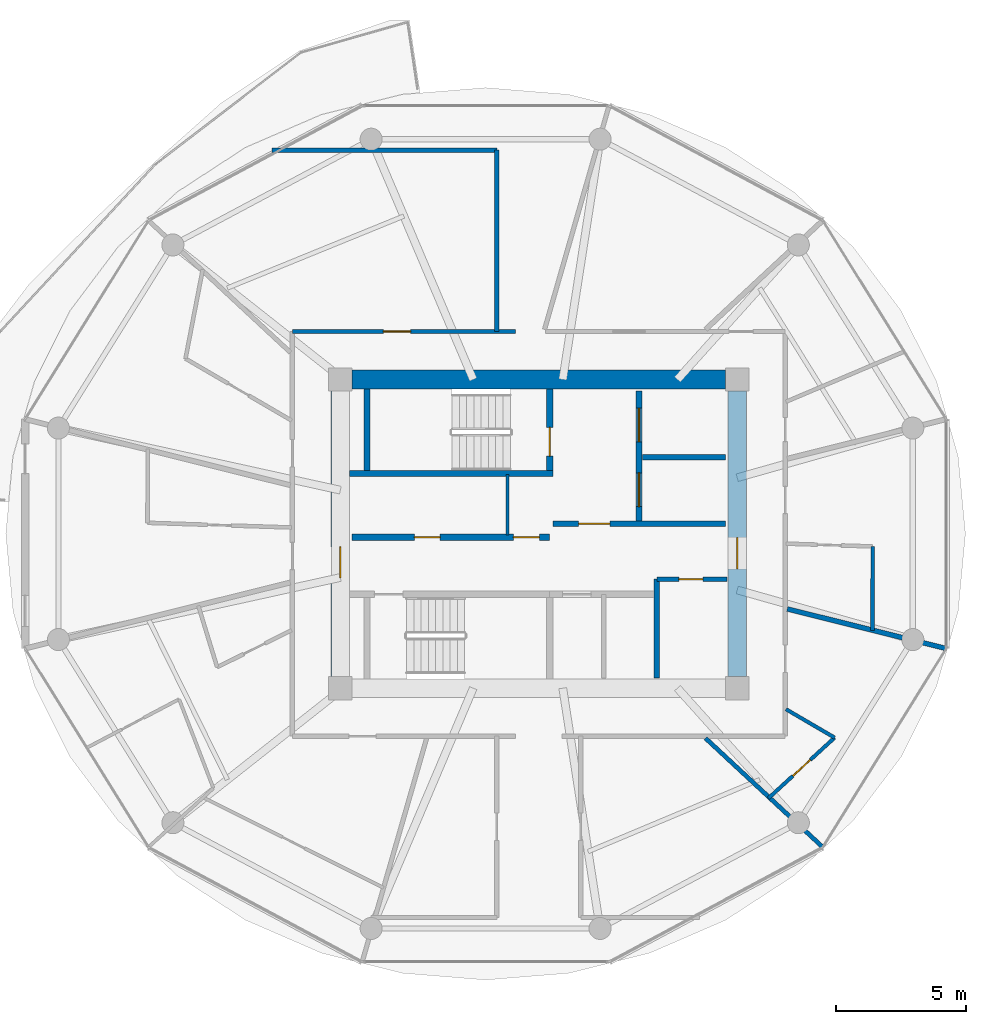
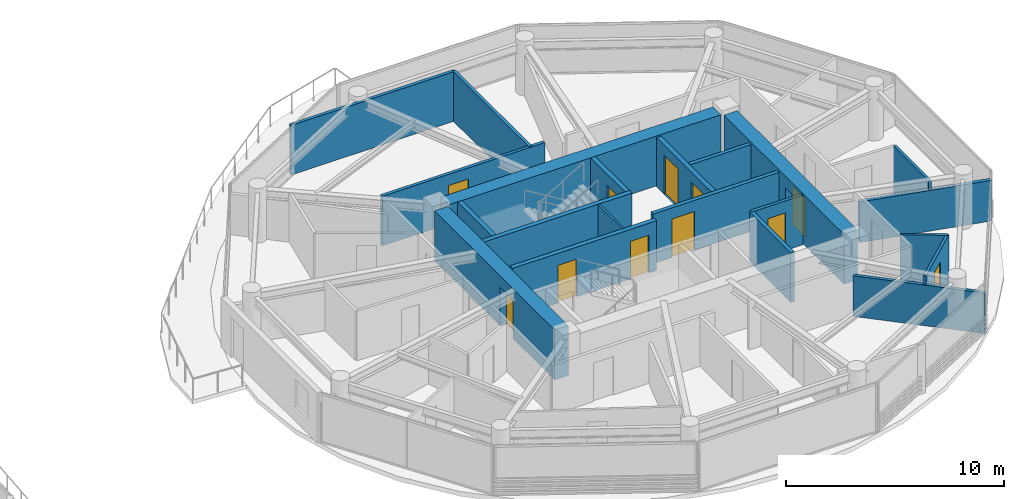
# One storey, part 17 of 22: 21 walls, 11 doors, 11 openings.
"""IFC4 building model written with IfcOpenShell, lengths in metres."""

import ifcopenshell
import ifcopenshell.guid

model = None  # the IFC model being written
_history = None  # IfcOwnerHistory: only IFC2X3 demands one
_inside = {}  # id of a spatial element -> (the spatial element, [elements in it])
_under = {}  # id of a project, library or spatial element -> (it, [spatial elements below it])
_declared = {}  # id of a project -> (the project, [libraries it declares])
_typed = {}  # id of a type object -> (the type object, [elements of that type])
_made_of = {}  # id of a material, layer set ... -> (it, [elements and type objects made of it])


def new_model(schema):
    """Start an empty IFC model of exactly this schema.

    Asked for "IFC4X3", IfcOpenShell would pick the latest addendum, in which some entities
    have other attributes; the version numbers below select the first issue.
    IFC2X3 requires an IfcOwnerHistory on every rooted entity: one is made here for all.
    """
    global model, _history
    if schema == "IFC4X3":
        model = ifcopenshell.file(schema_version=(4, 3, 0, 0))
    else:
        model = ifcopenshell.file(schema=schema)
    _inside.clear()
    _under.clear()
    _declared.clear()
    _typed.clear()
    _made_of.clear()
    _history = None
    if model.schema == "IFC2X3":
        org = make("IfcOrganization", Name="unknown")
        user = make(
            "IfcPersonAndOrganization",
            ThePerson=make("IfcPerson", FamilyName="unknown"),
            TheOrganization=org,
        )
        app = make(
            "IfcApplication",
            ApplicationDeveloper=org,
            Version="unknown",
            ApplicationFullName="unknown",
            ApplicationIdentifier="unknown",
        )
        _history = make(
            "IfcOwnerHistory",
            OwningUser=user,
            OwningApplication=app,
            ChangeAction="ADDED",
            CreationDate=0,
        )
    return model


def make(cls, **values):
    """One entity of the class cls with the attributes given. An attribute that is None is left unset."""
    return model.create_entity(
        cls, **{name: value for name, value in values.items() if value is not None}
    )


def rooted(cls, **values):
    """An entity with a GlobalId (a new one), such as an element, a storey or a relation."""
    return make(cls, GlobalId=ifcopenshell.guid.new(), OwnerHistory=_history, **values)


def si_unit(unit_type, name, prefix=None):
    """IfcSIUnit, for example si_unit("LENGTHUNIT", "METRE", prefix="MILLI")."""
    return make("IfcSIUnit", UnitType=unit_type, Prefix=prefix, Name=name)


def assignment(units):
    """IfcUnitAssignment: the units of a project."""
    return None if units is None else make("IfcUnitAssignment", Units=units)


def point(xyz):
    """IfcCartesianPoint."""
    return None if xyz is None else make("IfcCartesianPoint", Coordinates=xyz)


def direction(xyz):
    """IfcDirection."""
    return None if xyz is None else make("IfcDirection", DirectionRatios=xyz)


def frame(location, z_axis=None, x_axis=None):
    """IfcAxis2Placement3D, a coordinate frame: its origin and axes. An axis left out is left unset."""
    return make(
        "IfcAxis2Placement3D",
        Location=point(location),
        Axis=direction(z_axis),
        RefDirection=direction(x_axis),
    )


def frame_2d(location, x_axis=None):
    """IfcAxis2Placement2D, a coordinate frame in the plane: its origin and x axis."""
    return make(
        "IfcAxis2Placement2D", Location=point(location), RefDirection=direction(x_axis)
    )


def origin():
    """The frame at (0, 0, 0) with its axes left unset."""
    return frame((0.0, 0.0, 0.0))


def place(relative_to, where):
    """IfcLocalPlacement: puts the frame where relative to a parent placement (None: the world)."""
    return make(
        "IfcLocalPlacement", PlacementRelTo=relative_to, RelativePlacement=where
    )


def context(
    kind, dimensions, precision=None, world=None, true_north=None, identifier=None
):
    """IfcGeometricRepresentationContext, for example the 3D "Model" context."""
    return make(
        "IfcGeometricRepresentationContext",
        ContextIdentifier=identifier,
        ContextType=kind,
        CoordinateSpaceDimension=dimensions,
        Precision=precision,
        WorldCoordinateSystem=world,
        TrueNorth=true_north,
    )


def subcontext(parent, identifier, kind, view, scale=None):
    """IfcGeometricRepresentationSubContext, for example "Body" below "Model"."""
    return make(
        "IfcGeometricRepresentationSubContext",
        ContextIdentifier=identifier,
        ContextType=kind,
        ParentContext=parent,
        TargetScale=scale,
        TargetView=view,
    )


def project(units=None, contexts=None):
    """IfcProject with its units and contexts."""
    return rooted(
        "IfcProject",
        Name="project",
        RepresentationContexts=contexts,
        UnitsInContext=assignment(units),
    )


def spatial(cls, under=None, at=None, **own):
    """A site, building, storey or space (cls), placed at a placement, below another one or the project."""
    s = rooted(cls, ObjectPlacement=at, **own)
    if under is not None:
        _under.setdefault(under.id(), (under, []))[1].append(s)
    return s


def profile(cls, at=None, kind="AREA", **sizes):
    """A parametric profile (cls). Its sizes go by their IFC names, for example OverallWidth=200.0."""
    return make(cls, ProfileType=kind, Position=at, **sizes)


def rectangle(**sizes):
    """IfcRectangleProfileDef."""
    return profile("IfcRectangleProfileDef", **sizes)


def extrude(swept, where, along, depth):
    """IfcExtrudedAreaSolid: the profile swept, set in the frame where, extruded along a direction by depth."""
    return make(
        "IfcExtrudedAreaSolid",
        SweptArea=swept,
        Position=where,
        ExtrudedDirection=direction(along),
        Depth=depth,
    )


def shape(context_of_items, identifier, shape_type, items):
    """IfcShapeRepresentation: the items that make up one representation, for example the "Body"."""
    return make(
        "IfcShapeRepresentation",
        ContextOfItems=context_of_items,
        RepresentationIdentifier=identifier,
        RepresentationType=shape_type,
        Items=items,
    )


def source(mapping_origin, context_of_items, identifier, shape_type, items):
    """IfcRepresentationMap: a shape defined once, which mapped items show again and again."""
    return make(
        "IfcRepresentationMap",
        MappingOrigin=mapping_origin,
        MappedRepresentation=shape(context_of_items, identifier, shape_type, items),
    )


def transform(
    local_origin,
    x_axis=None,
    y_axis=None,
    z_axis=None,
    scale=None,
    scale2=None,
    scale3=None,
    uniform=True,
):
    """IfcCartesianTransformationOperator3D, or its non-uniform kind. x_axis, y_axis, z_axis: its Axis1, 2, 3."""
    if uniform:
        return make(
            "IfcCartesianTransformationOperator3D",
            Axis1=direction(x_axis),
            Axis2=direction(y_axis),
            LocalOrigin=point(local_origin),
            Scale=scale,
            Axis3=direction(z_axis),
        )
    return make(
        "IfcCartesianTransformationOperator3DnonUniform",
        Axis1=direction(x_axis),
        Axis2=direction(y_axis),
        LocalOrigin=point(local_origin),
        Scale=scale,
        Axis3=direction(z_axis),
        Scale2=scale2,
        Scale3=scale3,
    )


def mapped(mapping_source, mapping_target):
    """IfcMappedItem: shows the shape of a source again, moved by a transform."""
    return make(
        "IfcMappedItem", MappingSource=mapping_source, MappingTarget=mapping_target
    )


def material(Name=None, Category=None):
    """IfcMaterial."""
    return make("IfcMaterial", Name=Name, Category=Category)


def layer(
    of_material, thickness, ventilated=None, Name=None, Category=None, Priority=None
):
    """IfcMaterialLayer: one layer of a wall or slab, of a material (None: an air gap)."""
    return make(
        "IfcMaterialLayer",
        Material=of_material,
        LayerThickness=thickness,
        IsVentilated=ventilated,
        Name=Name,
        Category=Category,
        Priority=Priority,
    )


def layer_set(layers, Name=None):
    """IfcMaterialLayerSet."""
    return make("IfcMaterialLayerSet", MaterialLayers=layers, LayerSetName=Name)


def made_of(thing, what):
    """Note that an element or type object is made of a material, layer set ...; save() writes the relation."""
    if what is not None:
        _made_of.setdefault(what.id(), (what, []))[1].append(thing)
    return thing


def type_object(cls, material=None, **own):
    """A type object (cls), such as IfcWallType, which elements share."""
    return made_of(rooted(cls, **own), material)


def type_shapes(of_type, sources):
    """Give a type object the sources (RepresentationMaps) that its elements show as mapped items."""
    of_type.RepresentationMaps = sources


def element(
    cls,
    number,
    at=None,
    inside=None,
    cuts=None,
    type_object=None,
    material=None,
    context=None,
    identifier="Body",
    shape_type=None,
    held_by="IfcProductDefinitionShape",
    body=None,
    shapes=None,
    **own,
):
    """One element of the class cls, such as IfcWall. Its Tag is "e" and its number.

    at: its placement. inside: the storey or other place that contains it. cuts: it is an
    opening in that element (IfcRelVoidsElement). A single representation is given by context,
    identifier, shape_type and body (its items); several are given by shapes. held_by: the class
    of the entity that holds the representations. save() writes the other relations.
    """
    e = rooted(cls, Tag="e%d" % number, ObjectPlacement=at, **own)
    if body is not None:
        shapes = [shape(context, identifier, shape_type, body)]
    if shapes is not None:
        e.Representation = make(held_by, Representations=shapes)
    if inside is not None:
        _inside.setdefault(inside.id(), (inside, []))[1].append(e)
    if cuts is not None:
        rooted(
            "IfcRelVoidsElement", RelatingBuildingElement=cuts, RelatedOpeningElement=e
        )
    if type_object is not None:
        _typed.setdefault(type_object.id(), (type_object, []))[1].append(e)
    return made_of(e, material)


def fill(opening, filler):
    """IfcRelFillsElement: the door or window that sits in an opening."""
    return rooted(
        "IfcRelFillsElement",
        RelatingOpeningElement=opening,
        RelatedBuildingElement=filler,
    )


def aggregate(whole, parts):
    """IfcRelAggregates: a whole, such as a stair, and the parts it consists of."""
    return rooted("IfcRelAggregates", RelatingObject=whole, RelatedObjects=parts)


def save(model, path):
    """Write the relations noted so far, then the file.

    IfcRelAggregates (storeys below a building ...), IfcRelContainedInSpatialStructure (elements
    in a storey), IfcRelDefinesByType, IfcRelAssociatesMaterial and IfcRelDeclares: one each for
    every whole, place, type object, material and project.
    """
    for whole, parts in _under.values():
        aggregate(whole, parts)
    for where, things in _inside.values():
        rooted(
            "IfcRelContainedInSpatialStructure",
            RelatedElements=things,
            RelatingStructure=where,
        )
    for kind, things in _typed.values():
        rooted("IfcRelDefinesByType", RelatedObjects=things, RelatingType=kind)
    for what, things in _made_of.values():
        rooted("IfcRelAssociatesMaterial", RelatedObjects=things, RelatingMaterial=what)
    for by, libraries in _declared.values():
        rooted("IfcRelDeclares", RelatingContext=by, RelatedDefinitions=libraries)
    model.write(path)


model = new_model("IFC4")

# Units and contexts
model_context = context("Model", 3, precision=1e-05, world=origin(), true_north=direction((0.0, 1.0)))
body_context = subcontext(model_context, "Body", "Model", "MODEL_VIEW")
ifc_project = project(units=[si_unit("LENGTHUNIT", "METRE"), si_unit("AREAUNIT", "SQUARE_METRE"), si_unit("VOLUMEUNIT", "CUBIC_METRE"), si_unit("PLANEANGLEUNIT", "RADIAN"), si_unit("MASSUNIT", "GRAM", prefix="KILO")], contexts=[model_context])

# Site, building, storey
site_placement = place(None, origin())
site = spatial("IfcSite", under=ifc_project, at=site_placement, CompositionType="ELEMENT")
building_placement = place(site_placement, origin())
building = spatial("IfcBuilding", under=site, at=building_placement, Name="Norrkilde Senior Care Towers", CompositionType="ELEMENT")
storey_placement = place(building_placement, frame((0.0, 0.0, 120.64990234375)))
storey = spatial("IfcBuildingStorey", under=building, at=storey_placement, Name="L37", CompositionType="ELEMENT", Elevation=120.64990234375)

# Wall
ifc_material_1 = material(Name="Concrete C60/75", Category="concrete")
ifc_layer_1 = layer(ifc_material_1, 0.719970703125)
ifc_layer_set_1 = layer_set([ifc_layer_1], Name="Concrete C60/75")
wall_type_1 = type_object("IfcWallType", Name="Core Shear Wall Z2 720", PredefinedType="SHEAR", material=ifc_layer_set_1)
shared_shape_1 = source(origin(), body_context, "Body", "SweptSolid", [
    extrude(rectangle(XDim=14.39990234375, YDim=0.719970703125, at=frame_2d((7.199951171875, 0.0))), origin(), (0.0, 0.0, 1.0), 2.7900390625),
])
wall_1_placement = place(storey_placement, frame((20.800048828125, 5.949951171875, 0.0), z_axis=(0.0, 0.0, 1.0), x_axis=(1.0, 0.0, 0.0)))
element("IfcWall", 1, at=wall_1_placement, inside=storey, type_object=wall_type_1, Name="L37 Core E North Shear Wall", PredefinedType="SHEAR", context=body_context, shape_type="MappedRepresentation", body=[
    mapped(shared_shape_1, transform((0.0, 0.0, 0.0), x_axis=(1.0, 0.0, 0.0), y_axis=(0.0, 1.0, 0.0), z_axis=(0.0, 0.0, 1.0), scale=1.0)),
])

# Wall, opening, door
shared_shape_2 = source(origin(), body_context, "Body", "SweptSolid", [
    extrude(rectangle(XDim=11.0, YDim=0.719970703125, at=frame_2d((5.5, 0.0))), origin(), (0.0, 0.0, 1.0), 2.7900390625),
])
type_shapes(wall_type_1, [shared_shape_1, shared_shape_2])
wall_2_placement = place(storey_placement, frame((20.35009765625, -5.5, 0.0), z_axis=(0.0, 0.0, 1.0), x_axis=(0.0, 1.0, 0.0)))
wall_2 = element("IfcWall", 2, at=wall_2_placement, inside=storey, type_object=wall_type_1, Name="L37 Core E West Shear Wall", PredefinedType="SHEAR", context=body_context, shape_type="MappedRepresentation", body=[
    mapped(shared_shape_2, transform((0.0, 0.0, 0.0), x_axis=(1.0, 0.0, 0.0), y_axis=(0.0, 1.0, 0.0), z_axis=(0.0, 0.0, 1.0), scale=1.0)),
])
opening_1_placement = place(wall_2_placement, frame((3.800048828125, 0.0, 0.0)))
opening_1 = element("IfcOpeningElement", 3, at=opening_1_placement, cuts=wall_2, Name="Opening D-04", PredefinedType="OPENING", context=body_context, shape_type="SweptSolid", body=[
    extrude(rectangle(XDim=1.199951171875, YDim=2.14990234375, at=frame_2d((0.60009765625, 1.074951171875))), frame((0.0, 0.369873046875, 0.0), z_axis=(0.0, -1.0, 0.0), x_axis=(1.0, 0.0, 0.0)), (0.0, 0.0, 1.0), 0.739990234375),
])
ifc_material_2 = material(Name="Galvanised Painted Steel", Category="steel")
door_type_1 = type_object("IfcDoorType", Name="Firefighting Lobby Fire Door 1200x2150", OperationType="NOTDEFINED", PredefinedType="DOOR", material=ifc_material_2)
shared_shape_3 = source(origin(), body_context, "Body", "SweptSolid", [
    extrude(rectangle(XDim=1.199951171875, YDim=2.14990234375, at=frame_2d((0.60009765625, 1.074951171875))), frame((0.0, 0.02490234375, 0.0), z_axis=(0.0, -1.0, 0.0), x_axis=(1.0, 0.0, 0.0)), (0.0, 0.0, 1.0), 0.050048828125),
])
type_shapes(door_type_1, [shared_shape_3])
door_1_placement = place(opening_1_placement, frame((1.199951171875, 0.0, 0.0), z_axis=(0.0, 0.0, 1.0), x_axis=(-1.0, 0.0, 0.0)))
door_1 = element("IfcDoor", 4, at=door_1_placement, inside=storey, type_object=door_type_1, Name="L37 Core E West Portal Door", OperationType="SINGLE_SWING_LEFT", OverallHeight=2.14990234375, OverallWidth=1.199951171875, PredefinedType="DOOR", context=body_context, shape_type="MappedRepresentation", body=[
    mapped(shared_shape_3, transform((0.0, 0.0, 0.0), x_axis=(1.0, 0.0, 0.0), y_axis=(0.0, 1.0, 0.0), z_axis=(0.0, 0.0, 1.0), scale=1.0)),
])
fill(opening_1, door_1)

wall_3_placement = place(storey_placement, frame((35.64990234375, 5.5, 0.0), z_axis=(0.0, 0.0, 1.0), x_axis=(0.0, -1.0, 0.0)))
wall_3 = element("IfcWall", 5, at=wall_3_placement, inside=storey, type_object=wall_type_1, Name="L37 Core E East Shear Wall", PredefinedType="SHEAR", context=body_context, shape_type="MappedRepresentation", body=[
    mapped(shared_shape_2, transform((0.0, 0.0, 0.0), x_axis=(1.0, 0.0, 0.0), y_axis=(0.0, 1.0, 0.0), z_axis=(0.0, 0.0, 1.0), scale=1.0)),
])
opening_2_placement = place(wall_3_placement, frame((5.64990234375, 0.0, 0.0)))
opening_2 = element("IfcOpeningElement", 6, at=opening_2_placement, cuts=wall_3, Name="Opening D-04", PredefinedType="OPENING", context=body_context, shape_type="SweptSolid", body=[
    extrude(rectangle(XDim=1.199951171875, YDim=2.14990234375, at=frame_2d((0.60009765625, 1.074951171875))), frame((0.0, 0.369873046875, 0.0), z_axis=(0.0, -1.0, 0.0), x_axis=(1.0, 0.0, 0.0)), (0.0, 0.0, 1.0), 0.739990234375),
])
door_2_placement = place(opening_2_placement, frame((1.199951171875, 0.0, 0.0), z_axis=(0.0, 0.0, 1.0), x_axis=(-1.0, 0.0, 0.0)))
door_2 = element("IfcDoor", 7, at=door_2_placement, inside=storey, type_object=door_type_1, Name="L37 Core E East Portal Door", OperationType="SINGLE_SWING_RIGHT", OverallHeight=2.14990234375, OverallWidth=1.199951171875, PredefinedType="DOOR", context=body_context, shape_type="MappedRepresentation", body=[
    mapped(shared_shape_3, transform((0.0, 0.0, 0.0), x_axis=(1.0, 0.0, 0.0), y_axis=(0.0, 1.0, 0.0), z_axis=(0.0, 0.0, 1.0), scale=1.0)),
])
fill(opening_2, door_2)

# Wall, openings, doors
ifc_material_3 = material(Name="Concrete C45/55", Category="concrete")
ifc_layer_2 = layer(ifc_material_3, 0.239990234375)
ifc_layer_set_2 = layer_set([ifc_layer_2], Name="Concrete C45/55")
wall_type_2 = type_object("IfcWallType", Name="Lift and Plant Rated Enclosure Partition 240", PredefinedType="PARTITIONING", material=ifc_layer_set_2)
shared_shape_4 = source(origin(), body_context, "Body", "SweptSolid", [
    extrude(rectangle(XDim=5.0, YDim=0.239990234375, at=frame_2d((2.5, 0.0))), origin(), (0.0, 0.0, 1.0), 2.775146484375),
])
wall_4_placement = place(storey_placement, frame((31.860107421875, 0.5, 0.0), z_axis=(0.0, 0.0, 1.0), x_axis=(0.0, 1.0, 0.0)))
wall_4 = element("IfcWall", 8, at=wall_4_placement, inside=storey, type_object=wall_type_2, Name="WL-INT-L37-E-FFLE", PredefinedType="PARTITIONING", context=body_context, shape_type="MappedRepresentation", body=[
    mapped(shared_shape_4, transform((0.0, 0.0, 0.0), x_axis=(1.0, 0.0, 0.0), y_axis=(0.0, 1.0, 0.0), z_axis=(0.0, 0.0, 1.0), scale=1.0)),
])
opening_3_placement = place(wall_4_placement, frame((3.050048828125, 0.0, 0.0)))
opening_3 = element("IfcOpeningElement", 9, at=opening_3_placement, cuts=wall_4, Name="Opening LD-02", PredefinedType="OPENING", context=body_context, shape_type="SweptSolid", body=[
    extrude(rectangle(XDim=1.300048828125, YDim=2.199951171875, at=frame_2d((0.64990234375, 1.10009765625))), frame((0.0, 0.1298828125, 0.0), z_axis=(0.0, -1.0, 0.0), x_axis=(1.0, 0.0, 0.0)), (0.0, 0.0, 1.0), 0.260009765625),
])
opening_4_placement = place(wall_4_placement, frame((0.550048828125, 0.0, 0.0)))
opening_4 = element("IfcOpeningElement", 10, at=opening_4_placement, cuts=wall_4, Name="Opening LD-02", PredefinedType="OPENING", context=body_context, shape_type="SweptSolid", body=[
    extrude(rectangle(XDim=1.300048828125, YDim=2.199951171875, at=frame_2d((0.64990234375, 1.10009765625))), frame((0.0, 0.1298828125, 0.0), z_axis=(0.0, -1.0, 0.0), x_axis=(1.0, 0.0, 0.0)), (0.0, 0.0, 1.0), 0.260009765625),
])
ifc_material_4 = material(Name="Stainless Steel", Category="steel")
door_type_2 = type_object("IfcDoorType", Name="Stretcher and FFL Landing Sliding Door 1300x2200", OperationType="NOTDEFINED", PredefinedType="DOOR", material=ifc_material_4)
shared_shape_5 = source(origin(), body_context, "Body", "SweptSolid", [
    extrude(rectangle(XDim=1.300048828125, YDim=2.199951171875, at=frame_2d((0.64990234375, 1.10009765625))), frame((0.0, 0.02490234375, 0.0), z_axis=(0.0, -1.0, 0.0), x_axis=(1.0, 0.0, 0.0)), (0.0, 0.0, 1.0), 0.050048828125),
])
type_shapes(door_type_2, [shared_shape_5])
door_3_placement = place(opening_3_placement, origin())
door_3 = element("IfcDoor", 11, at=door_3_placement, inside=storey, type_object=door_type_2, Name="L37 Firefighting Lift E1 Landing Door", OperationType="SLIDING_TO_LEFT", OverallHeight=2.199951171875, OverallWidth=1.300048828125, PredefinedType="DOOR", context=body_context, shape_type="MappedRepresentation", body=[
    mapped(shared_shape_5, transform((0.0, 0.0, 0.0), x_axis=(1.0, 0.0, 0.0), y_axis=(0.0, 1.0, 0.0), z_axis=(0.0, 0.0, 1.0), scale=1.0)),
])
fill(opening_3, door_3)
door_4_placement = place(opening_4_placement, origin())
door_4 = element("IfcDoor", 12, at=door_4_placement, inside=storey, type_object=door_type_2, Name="L37 Stretcher Lift E1 Landing Door", OperationType="SLIDING_TO_RIGHT", OverallHeight=2.199951171875, OverallWidth=1.300048828125, PredefinedType="DOOR", context=body_context, shape_type="MappedRepresentation", body=[
    mapped(shared_shape_5, transform((0.0, 0.0, 0.0), x_axis=(1.0, 0.0, 0.0), y_axis=(0.0, 1.0, 0.0), z_axis=(0.0, 0.0, 1.0), scale=1.0)),
])
fill(opening_4, door_4)

# Wall
ifc_layer_3 = layer(ifc_material_3, 0.199951171875)
ifc_layer_set_3 = layer_set([ifc_layer_3], Name="Concrete C45/55")
wall_type_3 = type_object("IfcWallType", Name="Shaft Division and Plant Partition 200", PredefinedType="PARTITIONING", material=ifc_layer_set_3)
shared_shape_6 = source(origin(), body_context, "Body", "SweptSolid", [
    extrude(rectangle(XDim=3.199951171875, YDim=0.199951171875, at=frame_2d((1.60009765625, 0.0))), origin(), (0.0, 0.0, 1.0), 2.775146484375),
])
wall_5_placement = place(storey_placement, frame((32.0, 2.949951171875, 0.0), z_axis=(0.0, 0.0, 1.0), x_axis=(1.0, 0.0, 0.0)))
element("IfcWall", 13, at=wall_5_placement, inside=storey, type_object=wall_type_3, Name="WL-INT-L37-E-FFLDIV", PredefinedType="PARTITIONING", context=body_context, shape_type="MappedRepresentation", body=[
    mapped(shared_shape_6, transform((0.0, 0.0, 0.0), x_axis=(1.0, 0.0, 0.0), y_axis=(0.0, 1.0, 0.0), z_axis=(0.0, 0.0, 1.0), scale=1.0)),
])

# Wall, opening, door
ifc_layer_4 = layer(ifc_material_3, 0.2099609375)
ifc_layer_set_4 = layer_set([ifc_layer_4], Name="Concrete C45/55")
wall_type_4 = type_object("IfcWallType", Name="Firefighting Lobby Wall 210", PredefinedType="PARTITIONING", material=ifc_layer_set_4)
shared_shape_7 = source(origin(), body_context, "Body", "SweptSolid", [
    extrude(rectangle(XDim=6.659912109375, YDim=0.2099609375, at=frame_2d((3.330078125, 0.0))), origin(), (0.0, 0.0, 1.0), 2.775146484375),
])
type_shapes(wall_type_4, [shared_shape_7])
wall_6_placement = place(storey_placement, frame((28.5400390625, 0.389892578125, 0.0), z_axis=(0.0, 0.0, 1.0), x_axis=(1.0, 0.0, 0.0)))
wall_6 = element("IfcWall", 14, at=wall_6_placement, inside=storey, type_object=wall_type_4, Name="WL-INT-L37-E-FFLS", PredefinedType="PARTITIONING", context=body_context, shape_type="MappedRepresentation", body=[
    mapped(shared_shape_7, transform((0.0, 0.0, 0.0), x_axis=(1.0, 0.0, 0.0), y_axis=(0.0, 1.0, 0.0), z_axis=(0.0, 0.0, 1.0), scale=1.0)),
])
opening_5_placement = place(wall_6_placement, frame((1.0, 0.0, 0.0)))
opening_5 = element("IfcOpeningElement", 15, at=opening_5_placement, cuts=wall_6, Name="Opening D-04", PredefinedType="OPENING", context=body_context, shape_type="SweptSolid", body=[
    extrude(rectangle(XDim=1.199951171875, YDim=2.14990234375, at=frame_2d((0.60009765625, 1.074951171875))), frame((0.0, 0.114990234375, 0.0), z_axis=(0.0, -1.0, 0.0), x_axis=(1.0, 0.0, 0.0)), (0.0, 0.0, 1.0), 0.22998046875),
])
door_5_placement = place(opening_5_placement, frame((1.199951171875, 0.0, 0.0), z_axis=(0.0, 0.0, 1.0), x_axis=(-1.0, 0.0, 0.0)))
door_5 = element("IfcDoor", 16, at=door_5_placement, inside=storey, type_object=door_type_1, Name="L37 Firefighting Lobby E Door", OperationType="SINGLE_SWING_LEFT", OverallHeight=2.14990234375, OverallWidth=1.199951171875, PredefinedType="DOOR", context=body_context, shape_type="MappedRepresentation", body=[
    mapped(shared_shape_3, transform((0.0, 0.0, 0.0), x_axis=(1.0, 0.0, 0.0), y_axis=(0.0, 1.0, 0.0), z_axis=(0.0, 0.0, 1.0), scale=1.0)),
])
fill(opening_5, door_5)

# Wall, openings, doors
shared_shape_8 = source(origin(), body_context, "Body", "SweptSolid", [
    extrude(rectangle(XDim=7.619873046875, YDim=0.239990234375, at=frame_2d((3.81005859375, 0.0))), origin(), (0.0, 0.0, 1.0), 2.775146484375),
])
type_shapes(wall_type_2, [shared_shape_4, shared_shape_8])
wall_7_placement = place(storey_placement, frame((20.800048828125, -0.1298828125, 0.0), z_axis=(0.0, 0.0, 1.0), x_axis=(1.0, 0.0, 0.0)))
wall_7 = element("IfcWall", 17, at=wall_7_placement, inside=storey, type_object=wall_type_2, Name="WL-INT-L37-E-PKAS", PredefinedType="PARTITIONING", context=body_context, shape_type="MappedRepresentation", body=[
    mapped(shared_shape_8, transform((0.0, 0.0, 0.0), x_axis=(1.0, 0.0, 0.0), y_axis=(0.0, 1.0, 0.0), z_axis=(0.0, 0.0, 1.0), scale=1.0)),
])
opening_6_placement = place(wall_7_placement, frame((6.219970703125, 0.0, 0.0)))
opening_6 = element("IfcOpeningElement", 18, at=opening_6_placement, cuts=wall_7, Name="Opening D-10", PredefinedType="OPENING", context=body_context, shape_type="SweptSolid", body=[
    extrude(rectangle(XDim=1.0, YDim=2.10009765625, at=frame_2d((0.5, 1.050048828125))), frame((0.0, 0.1298828125, 0.0), z_axis=(0.0, -1.0, 0.0), x_axis=(1.0, 0.0, 0.0)), (0.0, 0.0, 1.0), 0.260009765625),
])
opening_7_placement = place(wall_7_placement, frame((2.39990234375, 0.0, 0.0)))
opening_7 = element("IfcOpeningElement", 19, at=opening_7_placement, cuts=wall_7, Name="Opening D-10", PredefinedType="OPENING", context=body_context, shape_type="SweptSolid", body=[
    extrude(rectangle(XDim=1.0, YDim=2.10009765625, at=frame_2d((0.5, 1.050048828125))), frame((0.0, 0.1298828125, 0.0), z_axis=(0.0, -1.0, 0.0), x_axis=(1.0, 0.0, 0.0)), (0.0, 0.0, 1.0), 0.260009765625),
])
door_type_3 = type_object("IfcDoorType", Name="Plant and Riser Rated Door 1000x2100", OperationType="NOTDEFINED", PredefinedType="DOOR", material=ifc_material_2)
shared_shape_9 = source(origin(), body_context, "Body", "SweptSolid", [
    extrude(rectangle(XDim=1.0, YDim=2.10009765625, at=frame_2d((0.5, 1.050048828125))), frame((0.0, 0.02490234375, 0.0), z_axis=(0.0, -1.0, 0.0), x_axis=(1.0, 0.0, 0.0)), (0.0, 0.0, 1.0), 0.050048828125),
])
type_shapes(door_type_3, [shared_shape_9])
door_6_placement = place(opening_6_placement, frame((1.0, 0.0, 0.0), z_axis=(0.0, 0.0, 1.0), x_axis=(-1.0, 0.0, 0.0)))
door_6 = element("IfcDoor", 20, at=door_6_placement, inside=storey, type_object=door_type_3, Name="L37 Electrical Riser E Door", OperationType="SINGLE_SWING_LEFT", OverallHeight=2.10009765625, OverallWidth=1.0, PredefinedType="DOOR", context=body_context, shape_type="MappedRepresentation", body=[
    mapped(shared_shape_9, transform((0.0, 0.0, 0.0), x_axis=(1.0, 0.0, 0.0), y_axis=(0.0, 1.0, 0.0), z_axis=(0.0, 0.0, 1.0), scale=1.0)),
])
fill(opening_6, door_6)
door_7_placement = place(opening_7_placement, frame((1.0, 0.0, 0.0), z_axis=(0.0, 0.0, 1.0), x_axis=(-1.0, 0.0, 0.0)))
door_7 = element("IfcDoor", 21, at=door_7_placement, inside=storey, type_object=door_type_3, Name="L37 Clean Supply Store E Door", OperationType="SINGLE_SWING_LEFT", OverallHeight=2.10009765625, OverallWidth=1.0, PredefinedType="DOOR", context=body_context, shape_type="MappedRepresentation", body=[
    mapped(shared_shape_9, transform((0.0, 0.0, 0.0), x_axis=(1.0, 0.0, 0.0), y_axis=(0.0, 1.0, 0.0), z_axis=(0.0, 0.0, 1.0), scale=1.0)),
])
fill(opening_7, door_7)

# Walls
ifc_material_5 = material(Name="Gypsum Acoustic Board")
ifc_layer_5 = layer(ifc_material_5, 0.114990234375)
ifc_layer_set_5 = layer_set([ifc_layer_5], Name="Gypsum Acoustic Board")
wall_type_5 = type_object("IfcWallType", Name="Internal Room Partition 115", PredefinedType="PARTITIONING", material=ifc_layer_set_5)
shared_shape_10 = source(origin(), body_context, "Body", "SweptSolid", [
    extrude(rectangle(XDim=2.330078125, YDim=0.114990234375, at=frame_2d((1.1650390625, 0.0))), origin(), (0.0, 0.0, 1.0), 2.775146484375),
])
type_shapes(wall_type_5, [shared_shape_10])
wall_8_placement = place(storey_placement, frame((26.7900390625, -0.050048828125, 0.0), z_axis=(0.0, 0.0, 1.0), x_axis=(0.0, 1.0, 0.0)))
element("IfcWall", 22, at=wall_8_placement, inside=storey, type_object=wall_type_5, Name="WL-INT-L37-E-RISW", PredefinedType="PARTITIONING", context=body_context, shape_type="MappedRepresentation", body=[
    mapped(shared_shape_10, transform((0.0, 0.0, 0.0), x_axis=(1.0, 0.0, 0.0), y_axis=(0.0, 1.0, 0.0), z_axis=(0.0, 0.0, 1.0), scale=1.0)),
])
shared_shape_11 = source(origin(), body_context, "Body", "SweptSolid", [
    extrude(rectangle(XDim=3.800048828125, YDim=0.199951171875, at=frame_2d((1.89990234375, 0.0))), origin(), (0.0, 0.0, 1.0), 2.775146484375),
])
type_shapes(wall_type_3, [shared_shape_6, shared_shape_11])
wall_9_placement = place(storey_placement, frame((32.550048828125, -5.550048828125, 0.0), z_axis=(0.0, 0.0, 1.0), x_axis=(0.0, 1.0, 0.0)))
element("IfcWall", 23, at=wall_9_placement, inside=storey, type_object=wall_type_3, Name="WL-INT-L37-E-PKBE", PredefinedType="PARTITIONING", context=body_context, shape_type="MappedRepresentation", body=[
    mapped(shared_shape_11, transform((0.0, 0.0, 0.0), x_axis=(1.0, 0.0, 0.0), y_axis=(0.0, 1.0, 0.0), z_axis=(0.0, 0.0, 1.0), scale=1.0)),
])

# Wall, opening, door
ifc_layer_6 = layer(ifc_material_5, 0.1650390625)
ifc_layer_set_6 = layer_set([ifc_layer_6], Name="Gypsum Acoustic Board")
wall_type_6 = type_object("IfcWallType", Name="Corridor Rated Partition 165", PredefinedType="PARTITIONING", material=ifc_layer_set_6)
shared_shape_12 = source(origin(), body_context, "Body", "SweptSolid", [
    extrude(rectangle(XDim=2.699951171875, YDim=0.1650390625, at=frame_2d((1.35009765625, 0.0))), origin(), (0.0, 0.0, 1.0), 2.775146484375),
])
wall_10_placement = place(storey_placement, frame((32.550048828125, -1.75, 0.0), z_axis=(0.0, 0.0, 1.0), x_axis=(1.0, 0.0, 0.0)))
wall_10 = element("IfcWall", 24, at=wall_10_placement, inside=storey, type_object=wall_type_6, Name="WL-INT-L37-E-CSN", PredefinedType="PARTITIONING", context=body_context, shape_type="MappedRepresentation", body=[
    mapped(shared_shape_12, transform((0.0, 0.0, 0.0), x_axis=(1.0, 0.0, 0.0), y_axis=(0.0, 1.0, 0.0), z_axis=(0.0, 0.0, 1.0), scale=1.0)),
])
opening_8_placement = place(wall_10_placement, frame((0.85009765625, 0.0, 0.0)))
opening_8 = element("IfcOpeningElement", 25, at=opening_8_placement, cuts=wall_10, Name="Opening D-12", PredefinedType="OPENING", context=body_context, shape_type="SweptSolid", body=[
    extrude(rectangle(XDim=0.925048828125, YDim=2.10009765625, at=frame_2d((0.46240234375, 1.050048828125))), frame((0.0, 0.092529296875, 0.0), z_axis=(0.0, -1.0, 0.0), x_axis=(1.0, 0.0, 0.0)), (0.0, 0.0, 1.0), 0.18505859375),
])
door_type_4 = type_object("IfcDoorType", Name="Core Wet Room Rated Door 925x2100", OperationType="NOTDEFINED", PredefinedType="DOOR", material=ifc_material_2)
shared_shape_13 = source(origin(), body_context, "Body", "SweptSolid", [
    extrude(rectangle(XDim=0.925048828125, YDim=2.10009765625, at=frame_2d((0.46240234375, 1.050048828125))), frame((0.0, 0.02490234375, 0.0), z_axis=(0.0, -1.0, 0.0), x_axis=(1.0, 0.0, 0.0)), (0.0, 0.0, 1.0), 0.050048828125),
])
type_shapes(door_type_4, [shared_shape_13])
door_8_placement = place(opening_8_placement, origin())
door_8 = element("IfcDoor", 26, at=door_8_placement, inside=storey, type_object=door_type_4, Name="L37 Core Utility E Door", OperationType="SINGLE_SWING_LEFT", OverallHeight=2.10009765625, OverallWidth=0.925048828125, PredefinedType="DOOR", context=body_context, shape_type="MappedRepresentation", body=[
    mapped(shared_shape_13, transform((0.0, 0.0, 0.0), x_axis=(1.0, 0.0, 0.0), y_axis=(0.0, 1.0, 0.0), z_axis=(0.0, 0.0, 1.0), scale=1.0)),
])
fill(opening_8, door_8)

# Walls
ifc_layer_7 = layer(ifc_material_3, 0.239990234375)
ifc_layer_set_7 = layer_set([ifc_layer_7], Name="Concrete C45/55")
wall_type_7 = type_object("IfcWallType", Name="Shaft and Stair Enclosure Wall 240", PredefinedType="PARTITIONING", material=ifc_layer_set_7)
shared_shape_14 = source(origin(), body_context, "Body", "SweptSolid", [
    extrude(rectangle(XDim=7.830078125, YDim=0.239990234375, at=frame_2d((3.9150390625, 0.0))), origin(), (0.0, 0.0, 1.0), 2.7900390625),
])
wall_11_placement = place(storey_placement, frame((20.7099609375, 2.330078125, 0.0), z_axis=(0.0, 0.0, 1.0), x_axis=(1.0, 0.0, 0.0)))
element("IfcWall", 27, at=wall_11_placement, inside=storey, type_object=wall_type_7, Name="WL-INT-L37-E-ST1S", PredefinedType="PARTITIONING", context=body_context, shape_type="MappedRepresentation", body=[
    mapped(shared_shape_14, transform((0.0, 0.0, 0.0), x_axis=(1.0, 0.0, 0.0), y_axis=(0.0, 1.0, 0.0), z_axis=(0.0, 0.0, 1.0), scale=1.0)),
])
shared_shape_15 = source(origin(), body_context, "Body", "SweptSolid", [
    extrude(rectangle(XDim=3.14013671875, YDim=0.239990234375, at=frame_2d((1.570068359375, 0.0))), origin(), (0.0, 0.0, 1.0), 2.7900390625),
])
type_shapes(wall_type_7, [shared_shape_14, shared_shape_15])
wall_12_placement = place(storey_placement, frame((21.3798828125, 2.449951171875, 0.0), z_axis=(0.0, 0.0, 1.0), x_axis=(0.0, 1.0, 0.0)))
element("IfcWall", 28, at=wall_12_placement, inside=storey, type_object=wall_type_7, Name="WL-INT-L37-E-ST1W", PredefinedType="PARTITIONING", context=body_context, shape_type="MappedRepresentation", body=[
    mapped(shared_shape_15, transform((0.0, 0.0, 0.0), x_axis=(1.0, 0.0, 0.0), y_axis=(0.0, 1.0, 0.0), z_axis=(0.0, 0.0, 1.0), scale=1.0)),
])

# Wall, opening, door
wall_13_placement = place(storey_placement, frame((28.419921875, 2.449951171875, 0.0), z_axis=(0.0, 0.0, 1.0), x_axis=(0.0, 1.0, 0.0)))
wall_13 = element("IfcWall", 29, at=wall_13_placement, inside=storey, type_object=wall_type_7, Name="WL-INT-L37-E-ST1E", PredefinedType="PARTITIONING", context=body_context, shape_type="MappedRepresentation", body=[
    mapped(shared_shape_15, transform((0.0, 0.0, 0.0), x_axis=(1.0, 0.0, 0.0), y_axis=(0.0, 1.0, 0.0), z_axis=(0.0, 0.0, 1.0), scale=1.0)),
])
opening_9_placement = place(wall_13_placement, frame((0.550048828125, 0.0, 0.0)))
opening_9 = element("IfcOpeningElement", 30, at=opening_9_placement, cuts=wall_13, Name="Opening D-03", PredefinedType="OPENING", context=body_context, shape_type="SweptSolid", body=[
    extrude(rectangle(XDim=1.10009765625, YDim=2.14990234375, at=frame_2d((0.550048828125, 1.074951171875))), frame((0.0, 0.1298828125, 0.0), z_axis=(0.0, -1.0, 0.0), x_axis=(1.0, 0.0, 0.0)), (0.0, 0.0, 1.0), 0.260009765625),
])
door_type_5 = type_object("IfcDoorType", Name="Stairwell Protected Fire Door 1100x2150", OperationType="NOTDEFINED", PredefinedType="DOOR", material=ifc_material_2)
shared_shape_16 = source(origin(), body_context, "Body", "SweptSolid", [
    extrude(rectangle(XDim=1.10009765625, YDim=2.14990234375, at=frame_2d((0.550048828125, 1.074951171875))), frame((0.0, 0.02490234375, 0.0), z_axis=(0.0, -1.0, 0.0), x_axis=(1.0, 0.0, 0.0)), (0.0, 0.0, 1.0), 0.050048828125),
])
type_shapes(door_type_5, [shared_shape_16])
door_9_placement = place(opening_9_placement, origin())
door_9 = element("IfcDoor", 31, at=door_9_placement, inside=storey, type_object=door_type_5, Name="L37 Stair E1 Fire Door", OperationType="SINGLE_SWING_LEFT", OverallHeight=2.14990234375, OverallWidth=1.10009765625, PredefinedType="DOOR", context=body_context, shape_type="MappedRepresentation", body=[
    mapped(shared_shape_16, transform((0.0, 0.0, 0.0), x_axis=(1.0, 0.0, 0.0), y_axis=(0.0, 1.0, 0.0), z_axis=(0.0, 0.0, 1.0), scale=1.0)),
])
fill(opening_9, door_9)

# Walls
ifc_layer_8 = layer(ifc_material_5, 0.18994140625)
ifc_layer_set_8 = layer_set([ifc_layer_8], Name="Gypsum Acoustic Board")
wall_type_8 = type_object("IfcWallType", Name="Unit Demising Acoustic Wall 190", PredefinedType="PARTITIONING", material=ifc_layer_set_8)
shared_shape_17 = source(origin(), body_context, "Body", "SweptSolid", [
    extrude(rectangle(XDim=6.33056640625, YDim=0.18994140625, at=frame_2d((3.165283203125, 0.0))), origin(), (0.0, 0.0, 1.0), 2.275146484375),
])
type_shapes(wall_type_8, [shared_shape_17])
wall_14_placement = place(storey_placement, frame((37.580078125, -2.89599609375, 0.0), z_axis=(0.0, 0.0, 1.0), x_axis=(0.97036440661, -0.241646267062, 0.0)))
element("IfcWall", 32, at=wall_14_placement, inside=storey, type_object=wall_type_8, Name="WL-INT-L37-E-DEM-11-0", PredefinedType="PARTITIONING", context=body_context, shape_type="MappedRepresentation", body=[
    mapped(shared_shape_17, transform((0.0, 0.0, 0.0), x_axis=(1.0, 0.0, 0.0), y_axis=(0.0, 1.0, 0.0), z_axis=(0.0, 0.0, 1.0), scale=1.0)),
])
ifc_layer_9 = layer(ifc_material_5, 0.139892578125)
ifc_layer_set_9 = layer_set([ifc_layer_9], Name="Gypsum Acoustic Board")
wall_type_9 = type_object("IfcWallType", Name="En-suite Wet Room Wall 140", PredefinedType="PARTITIONING", material=ifc_layer_set_9)
shared_shape_18 = source(origin(), body_context, "Body", "SweptSolid", [
    extrude(rectangle(XDim=2.171630859375, YDim=0.139892578125, at=frame_2d((1.0859375, 0.0))), origin(), (0.0, 0.0, 1.0), 2.775146484375),
])
wall_15_placement = place(storey_placement, frame((37.530029296875, -6.761962890625, 0.0), z_axis=(0.0, 0.0, 1.0), x_axis=(0.863562702562, -0.504241468688, 0.0)))
element("IfcWall", 33, at=wall_15_placement, inside=storey, type_object=wall_type_9, Name="WL-INT-L37-E-ES-10", PredefinedType="PARTITIONING", context=body_context, shape_type="MappedRepresentation", body=[
    mapped(shared_shape_18, transform((0.0, 0.0, 0.0), x_axis=(1.0, 0.0, 0.0), y_axis=(0.0, 1.0, 0.0), z_axis=(0.0, 0.0, 1.0), scale=1.0)),
])

# Wall, opening, door
shared_shape_19 = source(origin(), body_context, "Body", "SweptSolid", [
    extrude(rectangle(XDim=8.60009765625, YDim=0.1650390625, at=frame_2d((4.300048828125, 0.0))), origin(), (0.0, 0.0, 1.0), 2.775146484375),
])
wall_16_placement = place(storey_placement, frame((18.5, 7.800048828125, 0.0), z_axis=(0.0, 0.0, 1.0), x_axis=(1.0, 0.0, 0.0)))
wall_16 = element("IfcWall", 34, at=wall_16_placement, inside=storey, type_object=wall_type_6, Name="WL-INT-L37-E-CRW-N-0", PredefinedType="PARTITIONING", context=body_context, shape_type="MappedRepresentation", body=[
    mapped(shared_shape_19, transform((0.0, 0.0, 0.0), x_axis=(1.0, 0.0, 0.0), y_axis=(0.0, 1.0, 0.0), z_axis=(0.0, 0.0, 1.0), scale=1.0)),
])
opening_10_placement = place(wall_16_placement, frame((3.509033203125, 0.0, 0.0)))
opening_10 = element("IfcOpeningElement", 35, at=opening_10_placement, cuts=wall_16, Name="Opening D-06", PredefinedType="OPENING", context=body_context, shape_type="SweptSolid", body=[
    extrude(rectangle(XDim=1.050048828125, YDim=2.14990234375, at=frame_2d((0.52490234375, 1.074951171875))), frame((0.0, 0.092529296875, 0.0), z_axis=(0.0, -1.0, 0.0), x_axis=(1.0, 0.0, 0.0)), (0.0, 0.0, 1.0), 0.18505859375),
])
ifc_material_6 = material(Name="Nordic Ash Timber", Category="wood")
door_type_6 = type_object("IfcDoorType", Name="Apartment Entrance Fire Door 1050x2150", OperationType="NOTDEFINED", PredefinedType="DOOR", material=ifc_material_6)
shared_shape_20 = source(origin(), body_context, "Body", "SweptSolid", [
    extrude(rectangle(XDim=1.050048828125, YDim=2.14990234375, at=frame_2d((0.52490234375, 1.074951171875))), frame((0.0, 0.02490234375, 0.0), z_axis=(0.0, -1.0, 0.0), x_axis=(1.0, 0.0, 0.0)), (0.0, 0.0, 1.0), 0.050048828125),
])
type_shapes(door_type_6, [shared_shape_20])
door_10_placement = place(opening_10_placement, frame((1.050048828125, 0.0, 0.0), z_axis=(0.0, 0.0, 1.0), x_axis=(-1.0, 0.0, 0.0)))
door_10 = element("IfcDoor", 36, at=door_10_placement, inside=storey, type_object=door_type_6, Name="L37 Reading Lounge NWL Door", OperationType="SINGLE_SWING_RIGHT", OverallHeight=2.14990234375, OverallWidth=1.050048828125, PredefinedType="DOOR", context=body_context, shape_type="MappedRepresentation", body=[
    mapped(shared_shape_20, transform((0.0, 0.0, 0.0), x_axis=(1.0, 0.0, 0.0), y_axis=(0.0, 1.0, 0.0), z_axis=(0.0, 0.0, 1.0), scale=1.0)),
])
fill(opening_10, door_10)

# Wall
shared_shape_21 = source(origin(), body_context, "Body", "SweptSolid", [
    extrude(rectangle(XDim=6.186767578125, YDim=0.1650390625, at=frame_2d((3.09326171875, 0.0))), origin(), (0.0, 0.0, 1.0), 2.275146484375),
])
wall_17_placement = place(storey_placement, frame((34.428955078125, -7.8798828125, 0.0), z_axis=(0.0, 0.0, 1.0), x_axis=(0.732501077882, -0.680765870841, 0.0)))
element("IfcWall", 37, at=wall_17_placement, inside=storey, type_object=wall_type_6, Name="WL-INT-L37-E-DEM-10-0", PredefinedType="PARTITIONING", context=body_context, shape_type="MappedRepresentation", body=[
    mapped(shared_shape_21, transform((0.0, 0.0, 0.0), x_axis=(1.0, 0.0, 0.0), y_axis=(0.0, 1.0, 0.0), z_axis=(0.0, 0.0, 1.0), scale=1.0)),
])

# Wall, opening, door
shared_shape_22 = source(origin(), body_context, "Body", "SweptSolid", [
    extrude(rectangle(XDim=3.456787109375, YDim=0.139892578125, at=frame_2d((1.728515625, 0.0))), origin(), (0.0, 0.0, 1.0), 2.775146484375),
])
wall_18_placement = place(storey_placement, frame((39.4052734375, -7.85693359375, 0.0), z_axis=(0.0, 0.0, 1.0), x_axis=(-0.737567375492, -0.675273549467, 0.0)))
wall_18 = element("IfcWall", 38, at=wall_18_placement, inside=storey, type_object=wall_type_9, Name="WL-INT-L37-E-EF-10", PredefinedType="PARTITIONING", context=body_context, shape_type="MappedRepresentation", body=[
    mapped(shared_shape_22, transform((0.0, 0.0, 0.0), x_axis=(1.0, 0.0, 0.0), y_axis=(0.0, 1.0, 0.0), z_axis=(0.0, 0.0, 1.0), scale=1.0)),
])
opening_11_placement = place(wall_18_placement, frame((1.268310546875, 0.0, 0.0)))
opening_11 = element("IfcOpeningElement", 39, at=opening_11_placement, cuts=wall_18, Name="Opening D-08", PredefinedType="OPENING", context=body_context, shape_type="SweptSolid", body=[
    extrude(rectangle(XDim=0.919921875, YDim=2.10009765625, at=frame_2d((0.4599609375, 1.050048828125))), frame((0.0, 0.079833984375, 0.0), z_axis=(0.0, -1.0, 0.0), x_axis=(1.0, 0.0, 0.0)), (0.0, 0.0, 1.0), 0.159912109375),
])
door_type_7 = type_object("IfcDoorType", Name="Accessible Wet Room Door 920x2100", OperationType="NOTDEFINED", PredefinedType="DOOR", material=ifc_material_6)
shared_shape_23 = source(origin(), body_context, "Body", "SweptSolid", [
    extrude(rectangle(XDim=0.919921875, YDim=2.10009765625, at=frame_2d((0.4599609375, 1.050048828125))), frame((0.0, 0.02490234375, 0.0), z_axis=(0.0, -1.0, 0.0), x_axis=(1.0, 0.0, 0.0)), (0.0, 0.0, 1.0), 0.050048828125),
])
type_shapes(door_type_7, [shared_shape_23])
door_11_placement = place(opening_11_placement, origin())
door_11 = element("IfcDoor", 40, at=door_11_placement, inside=storey, type_object=door_type_7, Name="L37 Studio 37D Bathroom Door", OperationType="SINGLE_SWING_LEFT", OverallHeight=2.10009765625, OverallWidth=0.919921875, PredefinedType="DOOR", context=body_context, shape_type="MappedRepresentation", body=[
    mapped(shared_shape_23, transform((0.0, 0.0, 0.0), x_axis=(1.0, 0.0, 0.0), y_axis=(0.0, 1.0, 0.0), z_axis=(0.0, 0.0, 1.0), scale=1.0)),
])
fill(opening_11, door_11)

# Walls
shared_shape_24 = source(origin(), body_context, "Body", "SweptSolid", [
    extrude(rectangle(XDim=6.989990234375, YDim=0.1650390625, at=frame_2d((3.4951171875, 0.0))), origin(), (0.0, 0.0, 1.0), 2.775146484375),
])
wall_19_placement = place(storey_placement, frame((26.3798828125, 7.800048828125, 0.0), z_axis=(0.0, 0.0, 1.0), x_axis=(0.0, 1.0, 0.0)))
element("IfcWall", 41, at=wall_19_placement, inside=storey, type_object=wall_type_6, Name="WL-INT-L37-E-PKW-NWL", PredefinedType="PARTITIONING", context=body_context, shape_type="MappedRepresentation", body=[
    mapped(shared_shape_24, transform((0.0, 0.0, 0.0), x_axis=(1.0, 0.0, 0.0), y_axis=(0.0, 1.0, 0.0), z_axis=(0.0, 0.0, 1.0), scale=1.0)),
])
shared_shape_25 = source(origin(), body_context, "Body", "SweptSolid", [
    extrude(rectangle(XDim=8.66943359375, YDim=0.1650390625, at=frame_2d((4.334716796875, 0.0))), origin(), (0.0, 0.0, 1.0), 2.775146484375),
])
type_shapes(wall_type_6, [shared_shape_12, shared_shape_19, shared_shape_21, shared_shape_24, shared_shape_25])
wall_20_placement = place(storey_placement, frame((17.71044921875, 14.7900390625, 0.0), z_axis=(0.0, 0.0, 1.0), x_axis=(1.0, 0.0, 0.0)))
element("IfcWall", 42, at=wall_20_placement, inside=storey, type_object=wall_type_6, Name="WL-INT-L37-E-PKH-NWL-0", PredefinedType="PARTITIONING", context=body_context, shape_type="MappedRepresentation", body=[
    mapped(shared_shape_25, transform((0.0, 0.0, 0.0), x_axis=(1.0, 0.0, 0.0), y_axis=(0.0, 1.0, 0.0), z_axis=(0.0, 0.0, 1.0), scale=1.0)),
])
shared_shape_26 = source(origin(), body_context, "Body", "SweptSolid", [
    extrude(rectangle(XDim=3.247314453125, YDim=0.139892578125, at=frame_2d((1.62353515625, 0.0))), origin(), (0.0, 0.0, 1.0), 2.775146484375),
])
type_shapes(wall_type_9, [shared_shape_18, shared_shape_22, shared_shape_26])
wall_21_placement = place(storey_placement, frame((40.869873046875, -0.48681640625, 0.0), z_axis=(0.0, 0.0, 1.0), x_axis=(-0.002105100215, -0.999997784274, 0.0)))
element("IfcWall", 43, at=wall_21_placement, inside=storey, type_object=wall_type_9, Name="WL-INT-L37-E-EF-11", PredefinedType="PARTITIONING", context=body_context, shape_type="MappedRepresentation", body=[
    mapped(shared_shape_26, transform((0.0, 0.0, 0.0), x_axis=(1.0, 0.0, 0.0), y_axis=(0.0, 1.0, 0.0), z_axis=(0.0, 0.0, 1.0), scale=1.0)),
])

save(model, "model.ifc")
